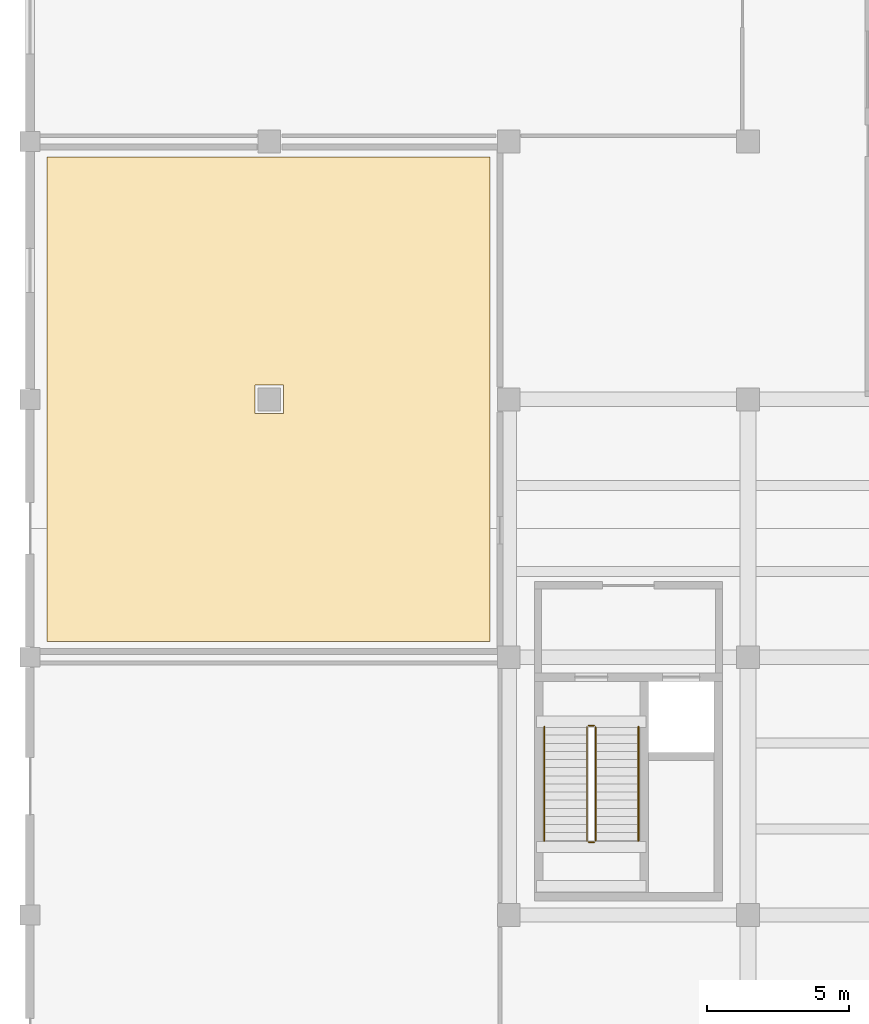
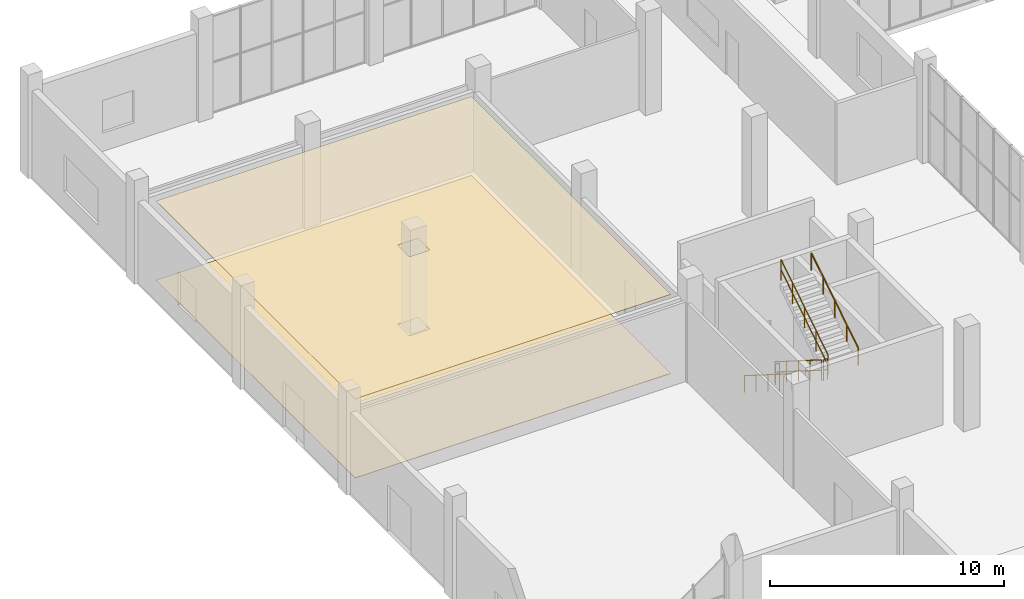
# One storey, part 88 of 91: 6 railings, 2 coverings.
"""IFC4 building model written with IfcOpenShell, lengths in metres."""

import ifcopenshell
import ifcopenshell.guid

model = None  # the IFC model being written
_history = None  # IfcOwnerHistory: only IFC2X3 demands one
_inside = {}  # id of a spatial element -> (the spatial element, [elements in it])
_under = {}  # id of a project, library or spatial element -> (it, [spatial elements below it])
_declared = {}  # id of a project -> (the project, [libraries it declares])
_typed = {}  # id of a type object -> (the type object, [elements of that type])
_made_of = {}  # id of a material, layer set ... -> (it, [elements and type objects made of it])


def new_model(schema):
    """Start an empty IFC model of exactly this schema.

    Asked for "IFC4X3", IfcOpenShell would pick the latest addendum, in which some entities
    have other attributes; the version numbers below select the first issue.
    IFC2X3 requires an IfcOwnerHistory on every rooted entity: one is made here for all.
    """
    global model, _history
    if schema == "IFC4X3":
        model = ifcopenshell.file(schema_version=(4, 3, 0, 0))
    else:
        model = ifcopenshell.file(schema=schema)
    _inside.clear()
    _under.clear()
    _declared.clear()
    _typed.clear()
    _made_of.clear()
    _history = None
    if model.schema == "IFC2X3":
        org = make("IfcOrganization", Name="unknown")
        user = make(
            "IfcPersonAndOrganization",
            ThePerson=make("IfcPerson", FamilyName="unknown"),
            TheOrganization=org,
        )
        app = make(
            "IfcApplication",
            ApplicationDeveloper=org,
            Version="unknown",
            ApplicationFullName="unknown",
            ApplicationIdentifier="unknown",
        )
        _history = make(
            "IfcOwnerHistory",
            OwningUser=user,
            OwningApplication=app,
            ChangeAction="ADDED",
            CreationDate=0,
        )
    return model


def make(cls, **values):
    """One entity of the class cls with the attributes given. An attribute that is None is left unset."""
    return model.create_entity(
        cls, **{name: value for name, value in values.items() if value is not None}
    )


def rooted(cls, **values):
    """An entity with a GlobalId (a new one), such as an element, a storey or a relation."""
    return make(cls, GlobalId=ifcopenshell.guid.new(), OwnerHistory=_history, **values)


def si_unit(unit_type, name, prefix=None):
    """IfcSIUnit, for example si_unit("LENGTHUNIT", "METRE", prefix="MILLI")."""
    return make("IfcSIUnit", UnitType=unit_type, Prefix=prefix, Name=name)


def assignment(units):
    """IfcUnitAssignment: the units of a project."""
    return None if units is None else make("IfcUnitAssignment", Units=units)


def point(xyz):
    """IfcCartesianPoint."""
    return None if xyz is None else make("IfcCartesianPoint", Coordinates=xyz)


def direction(xyz):
    """IfcDirection."""
    return None if xyz is None else make("IfcDirection", DirectionRatios=xyz)


def frame(location, z_axis=None, x_axis=None):
    """IfcAxis2Placement3D, a coordinate frame: its origin and axes. An axis left out is left unset."""
    return make(
        "IfcAxis2Placement3D",
        Location=point(location),
        Axis=direction(z_axis),
        RefDirection=direction(x_axis),
    )


def frame_2d(location, x_axis=None):
    """IfcAxis2Placement2D, a coordinate frame in the plane: its origin and x axis."""
    return make(
        "IfcAxis2Placement2D", Location=point(location), RefDirection=direction(x_axis)
    )


def origin():
    """The frame at (0, 0, 0) with its axes left unset."""
    return frame((0.0, 0.0, 0.0))


def origin_2d():
    """The frame at (0, 0) in the plane with its x axis left unset."""
    return frame_2d((0.0, 0.0))


def place(relative_to, where):
    """IfcLocalPlacement: puts the frame where relative to a parent placement (None: the world)."""
    return make(
        "IfcLocalPlacement", PlacementRelTo=relative_to, RelativePlacement=where
    )


def context(
    kind, dimensions, precision=None, world=None, true_north=None, identifier=None
):
    """IfcGeometricRepresentationContext, for example the 3D "Model" context."""
    return make(
        "IfcGeometricRepresentationContext",
        ContextIdentifier=identifier,
        ContextType=kind,
        CoordinateSpaceDimension=dimensions,
        Precision=precision,
        WorldCoordinateSystem=world,
        TrueNorth=true_north,
    )


def subcontext(parent, identifier, kind, view, scale=None):
    """IfcGeometricRepresentationSubContext, for example "Body" below "Model"."""
    return make(
        "IfcGeometricRepresentationSubContext",
        ContextIdentifier=identifier,
        ContextType=kind,
        ParentContext=parent,
        TargetScale=scale,
        TargetView=view,
    )


def project(units=None, contexts=None):
    """IfcProject with its units and contexts."""
    return rooted(
        "IfcProject",
        Name="project",
        RepresentationContexts=contexts,
        UnitsInContext=assignment(units),
    )


def spatial(cls, under=None, at=None, **own):
    """A site, building, storey or space (cls), placed at a placement, below another one or the project."""
    s = rooted(cls, ObjectPlacement=at, **own)
    if under is not None:
        _under.setdefault(under.id(), (under, []))[1].append(s)
    return s


def polyline(points):
    """IfcPolyline through the points."""
    return make("IfcPolyline", Points=[point(p) for p in points])


def profile(cls, at=None, kind="AREA", **sizes):
    """A parametric profile (cls). Its sizes go by their IFC names, for example OverallWidth=200.0."""
    return make(cls, ProfileType=kind, Position=at, **sizes)


def circle(**sizes):
    """IfcCircleProfileDef."""
    return profile("IfcCircleProfileDef", **sizes)


def outline(outer, holes=None, kind="AREA"):
    """IfcArbitraryClosedProfileDef: a profile drawn as a closed curve; with holes, ...WithVoids."""
    if holes is None:
        return make("IfcArbitraryClosedProfileDef", ProfileType=kind, OuterCurve=outer)
    return make(
        "IfcArbitraryProfileDefWithVoids",
        ProfileType=kind,
        OuterCurve=outer,
        InnerCurves=holes,
    )


def extrude(swept, where, along, depth):
    """IfcExtrudedAreaSolid: the profile swept, set in the frame where, extruded along a direction by depth."""
    return make(
        "IfcExtrudedAreaSolid",
        SweptArea=swept,
        Position=where,
        ExtrudedDirection=direction(along),
        Depth=depth,
    )


def shape(context_of_items, identifier, shape_type, items):
    """IfcShapeRepresentation: the items that make up one representation, for example the "Body"."""
    return make(
        "IfcShapeRepresentation",
        ContextOfItems=context_of_items,
        RepresentationIdentifier=identifier,
        RepresentationType=shape_type,
        Items=items,
    )


def material(Name=None, Category=None):
    """IfcMaterial."""
    return make("IfcMaterial", Name=Name, Category=Category)


def layer(
    of_material, thickness, ventilated=None, Name=None, Category=None, Priority=None
):
    """IfcMaterialLayer: one layer of a wall or slab, of a material (None: an air gap)."""
    return make(
        "IfcMaterialLayer",
        Material=of_material,
        LayerThickness=thickness,
        IsVentilated=ventilated,
        Name=Name,
        Category=Category,
        Priority=Priority,
    )


def layer_set(layers, Name=None):
    """IfcMaterialLayerSet."""
    return make("IfcMaterialLayerSet", MaterialLayers=layers, LayerSetName=Name)


def made_of(thing, what):
    """Note that an element or type object is made of a material, layer set ...; save() writes the relation."""
    if what is not None:
        _made_of.setdefault(what.id(), (what, []))[1].append(thing)
    return thing


def type_object(cls, material=None, **own):
    """A type object (cls), such as IfcWallType, which elements share."""
    return made_of(rooted(cls, **own), material)


def element(
    cls,
    number,
    at=None,
    inside=None,
    cuts=None,
    type_object=None,
    material=None,
    context=None,
    identifier="Body",
    shape_type=None,
    held_by="IfcProductDefinitionShape",
    body=None,
    shapes=None,
    **own,
):
    """One element of the class cls, such as IfcWall. Its Tag is "e" and its number.

    at: its placement. inside: the storey or other place that contains it. cuts: it is an
    opening in that element (IfcRelVoidsElement). A single representation is given by context,
    identifier, shape_type and body (its items); several are given by shapes. held_by: the class
    of the entity that holds the representations. save() writes the other relations.
    """
    e = rooted(cls, Tag="e%d" % number, ObjectPlacement=at, **own)
    if body is not None:
        shapes = [shape(context, identifier, shape_type, body)]
    if shapes is not None:
        e.Representation = make(held_by, Representations=shapes)
    if inside is not None:
        _inside.setdefault(inside.id(), (inside, []))[1].append(e)
    if cuts is not None:
        rooted(
            "IfcRelVoidsElement", RelatingBuildingElement=cuts, RelatedOpeningElement=e
        )
    if type_object is not None:
        _typed.setdefault(type_object.id(), (type_object, []))[1].append(e)
    return made_of(e, material)


def aggregate(whole, parts):
    """IfcRelAggregates: a whole, such as a stair, and the parts it consists of."""
    return rooted("IfcRelAggregates", RelatingObject=whole, RelatedObjects=parts)


def save(model, path):
    """Write the relations noted so far, then the file.

    IfcRelAggregates (storeys below a building ...), IfcRelContainedInSpatialStructure (elements
    in a storey), IfcRelDefinesByType, IfcRelAssociatesMaterial and IfcRelDeclares: one each for
    every whole, place, type object, material and project.
    """
    for whole, parts in _under.values():
        aggregate(whole, parts)
    for where, things in _inside.values():
        rooted(
            "IfcRelContainedInSpatialStructure",
            RelatedElements=things,
            RelatingStructure=where,
        )
    for kind, things in _typed.values():
        rooted("IfcRelDefinesByType", RelatedObjects=things, RelatingType=kind)
    for what, things in _made_of.values():
        rooted("IfcRelAssociatesMaterial", RelatedObjects=things, RelatingMaterial=what)
    for by, libraries in _declared.values():
        rooted("IfcRelDeclares", RelatingContext=by, RelatedDefinitions=libraries)
    model.write(path)


model = new_model("IFC4")

# Units and contexts
model_context = context("Model", 3, precision=1e-05, world=origin(), true_north=direction((0.0, 1.0)))
body_context = subcontext(model_context, "Body", "Model", "MODEL_VIEW")
ifc_project = project(units=[si_unit("LENGTHUNIT", "METRE"), si_unit("AREAUNIT", "SQUARE_METRE"), si_unit("VOLUMEUNIT", "CUBIC_METRE"), si_unit("PLANEANGLEUNIT", "RADIAN"), si_unit("MASSUNIT", "GRAM", prefix="KILO")], contexts=[model_context])

# Site, building, storey
site_placement = place(None, origin())
site = spatial("IfcSite", under=ifc_project, at=site_placement, CompositionType="ELEMENT")
building_placement = place(site_placement, origin())
building = spatial("IfcBuilding", under=site, at=building_placement, Name="Khurvash Pelagic Aquarium", CompositionType="ELEMENT")
storey_placement = place(building_placement, origin())
storey = spatial("IfcBuildingStorey", under=building, at=storey_placement, Name="L00", CompositionType="ELEMENT", Elevation=0.0)

# Coverings
ifc_material_1 = material(Name="Moisture-resistant acoustic mineral-fibre ceiling", Category="finish")
ifc_layer_1 = layer(ifc_material_1, 0.02490234375)
ifc_layer_set_1 = layer_set([ifc_layer_1], Name="Moisture-resistant acoustic mineral-fibre ceiling")
covering_type_1 = type_object("IfcCoveringType", Name="CV-CLG", PredefinedType="CEILING", material=ifc_layer_set_1)
covering_1_placement = place(storey_placement, frame((0.0, 0.0, 4.114990234375)))
element("IfcCovering", 1, at=covering_1_placement, inside=storey, type_object=covering_type_1, Name="L00 STEM Marine Discovery Classroom 1 Suspended Acoustic Ceiling", PredefinedType="CEILING", context=body_context, shape_type="SweptSolid", body=[
    extrude(outline(polyline([(0.60009765625, 75.550048828125), (16.14990234375, 75.550048828125), (16.14990234375, 92.550048828125), (0.60009765625, 92.550048828125), (0.60009765625, 75.550048828125)]), holes=[polyline([(8.89990234375, 83.550048828125), (7.89990234375, 83.550048828125), (7.89990234375, 84.550048828125), (8.89990234375, 84.550048828125), (8.89990234375, 83.550048828125)])]), origin(), (0.0, 0.0, 1.0), 0.02490234375),
])
ifc_material_2 = material(Name="Slip-resistant terrazzo and epoxy resin flooring", Category="finish")
ifc_layer_2 = layer(ifc_material_2, 0.02001953125)
ifc_layer_set_2 = layer_set([ifc_layer_2], Name="Slip-resistant terrazzo and epoxy resin flooring")
covering_type_2 = type_object("IfcCoveringType", Name="CV-FLR", PredefinedType="FLOORING", material=ifc_layer_set_2)
covering_2_placement = place(storey_placement, origin())
element("IfcCovering", 2, at=covering_2_placement, inside=storey, type_object=covering_type_2, Name="L00 STEM Marine Discovery Classroom 1 Terrazzo Floor Finish", PredefinedType="FLOORING", context=body_context, shape_type="SweptSolid", body=[
    extrude(outline(polyline([(0.60009765625, 75.550048828125), (16.14990234375, 75.550048828125), (16.14990234375, 92.550048828125), (0.60009765625, 92.550048828125), (0.60009765625, 75.550048828125)]), holes=[polyline([(8.89990234375, 83.550048828125), (7.89990234375, 83.550048828125), (7.89990234375, 84.550048828125), (8.89990234375, 84.550048828125), (8.89990234375, 83.550048828125)])]), origin(), (0.0, 0.0, 1.0), 0.02001953125),
])

# Railings
ifc_material_3 = material(Name="Powder-coated galvanised steel S355J2", Category="steel")
railing_type_1 = type_object("IfcRailingType", Name="GR-01", PredefinedType="GUARDRAIL", material=ifc_material_3)
railing_1_placement = place(storey_placement, frame((19.550048828125, 72.550048828125, 0.179931640625)))
element("IfcRailing", 3, at=railing_1_placement, inside=storey, type_object=railing_type_1, Name="L00 ST-05 stair guard 1", PredefinedType="GUARDRAIL", context=body_context, shape_type="SweptSolid", body=[
    extrude(circle(Radius=0.02392578125, at=origin_2d()), frame((0.0, 0.0, 1.076171875), z_axis=(0.0, -0.845486444383, 0.533996884227), x_axis=(1.0, 0.0, 0.0)), (0.0, 0.0, 1.0), 4.71923828125),
    extrude(circle(Radius=0.02392578125, at=origin_2d()), frame((0.0, 0.0, 0.5380859375), z_axis=(0.0, -0.845486444383, 0.533996884227), x_axis=(1.0, 0.0, 0.0)), (0.0, 0.0, 1.0), 4.71923828125),
    extrude(circle(Radius=0.02099609375, at=origin_2d()), origin(), (0.0, 0.0, 1.0), 1.052001953125),
    extrude(circle(Radius=0.02099609375, at=origin_2d()), frame((0.0, -0.99755859375, 0.6298828125)), (0.0, 0.0, 1.0), 1.052001953125),
    extrude(circle(Radius=0.02099609375, at=origin_2d()), frame((0.0, -1.9951171875, 1.260009765625)), (0.0, 0.0, 1.0), 1.052001953125),
    extrude(circle(Radius=0.02099609375, at=origin_2d()), frame((0.0, -2.992431640625, 1.89013671875)), (0.0, 0.0, 1.0), 1.052001953125),
    extrude(circle(Radius=0.02099609375, at=origin_2d()), frame((0.0, -3.989990234375, 2.52001953125)), (0.0, 0.0, 1.0), 1.052001953125),
])
railing_2_placement = place(storey_placement, frame((19.60009765625, 68.510009765625, 2.699951171875)))
element("IfcRailing", 4, at=railing_2_placement, inside=storey, type_object=railing_type_1, Name="L00 ST-05 stair guard 2", PredefinedType="GUARDRAIL", context=body_context, shape_type="SweptSolid", body=[
    extrude(circle(Radius=0.02392578125, at=origin_2d()), frame((0.0, 0.0, 1.076171875), z_axis=(1.0, 0.0, 0.0), x_axis=(0.0, 1.0, 0.0)), (0.0, 0.0, 1.0), 0.199951171875),
    extrude(circle(Radius=0.02392578125, at=origin_2d()), frame((0.0, 0.0, 0.5380859375), z_axis=(1.0, 0.0, 0.0), x_axis=(0.0, 1.0, 0.0)), (0.0, 0.0, 1.0), 0.199951171875),
    extrude(circle(Radius=0.02099609375, at=origin_2d()), origin(), (0.0, 0.0, 1.0), 1.052001953125),
    extrude(circle(Radius=0.02099609375, at=origin_2d()), frame((0.199951171875, 0.0, 0.0)), (0.0, 0.0, 1.0), 1.052001953125),
])
railing_3_placement = place(storey_placement, frame((19.85009765625, 68.56005859375, 2.8798828125)))
element("IfcRailing", 5, at=railing_3_placement, inside=storey, type_object=railing_type_1, Name="L00 ST-05 stair guard 3", PredefinedType="GUARDRAIL", context=body_context, shape_type="SweptSolid", body=[
    extrude(circle(Radius=0.02392578125, at=origin_2d()), frame((0.0, 0.0, 1.076171875), z_axis=(0.0, 0.845486444383, 0.533996884227), x_axis=(-1.0, 0.0, 0.0)), (0.0, 0.0, 1.0), 4.71923828125),
    extrude(circle(Radius=0.02392578125, at=origin_2d()), frame((0.0, 0.0, 0.5380859375), z_axis=(0.0, 0.845486444383, 0.533996884227), x_axis=(-1.0, 0.0, 0.0)), (0.0, 0.0, 1.0), 4.71923828125),
    extrude(circle(Radius=0.02099609375, at=origin_2d()), origin(), (0.0, 0.0, 1.0), 1.052001953125),
    extrude(circle(Radius=0.02099609375, at=origin_2d()), frame((0.0, 0.99755859375, 0.6298828125)), (0.0, 0.0, 1.0), 1.052001953125),
    extrude(circle(Radius=0.02099609375, at=origin_2d()), frame((0.0, 1.9951171875, 1.260009765625)), (0.0, 0.0, 1.0), 1.052001953125),
    extrude(circle(Radius=0.02099609375, at=origin_2d()), frame((0.0, 2.992431640625, 1.89013671875)), (0.0, 0.0, 1.0), 1.052001953125),
    extrude(circle(Radius=0.02099609375, at=origin_2d()), frame((0.0, 3.989990234375, 2.52001953125)), (0.0, 0.0, 1.0), 1.052001953125),
])
railing_4_placement = place(storey_placement, frame((19.60009765625, 72.60009765625, 0.0)))
element("IfcRailing", 6, at=railing_4_placement, inside=storey, type_object=railing_type_1, Name="L00 ST-05 stair guard 4", PredefinedType="GUARDRAIL", context=body_context, shape_type="SweptSolid", body=[
    extrude(circle(Radius=0.02392578125, at=origin_2d()), frame((0.0, 0.0, 1.076171875), z_axis=(1.0, 0.0, 0.0), x_axis=(0.0, 1.0, 0.0)), (0.0, 0.0, 1.0), 0.199951171875),
    extrude(circle(Radius=0.02392578125, at=origin_2d()), frame((0.0, 0.0, 0.5380859375), z_axis=(1.0, 0.0, 0.0), x_axis=(0.0, 1.0, 0.0)), (0.0, 0.0, 1.0), 0.199951171875),
    extrude(circle(Radius=0.02099609375, at=origin_2d()), origin(), (0.0, 0.0, 1.0), 1.052001953125),
    extrude(circle(Radius=0.02099609375, at=origin_2d()), frame((0.199951171875, 0.0, 0.0)), (0.0, 0.0, 1.0), 1.052001953125),
])
ifc_material_4 = material(Name="Brushed stainless steel 316", Category="steel")
railing_type_2 = type_object("IfcRailingType", Name="HR-01", PredefinedType="HANDRAIL", material=ifc_material_4)
railing_5_placement = place(storey_placement, frame((18.050048828125, 72.550048828125, 0.179931640625)))
element("IfcRailing", 7, at=railing_5_placement, inside=storey, type_object=railing_type_2, Name="L00 ST-05 stair handrail 1", PredefinedType="HANDRAIL", context=body_context, shape_type="SweptSolid", body=[
    extrude(circle(Radius=0.02392578125, at=origin_2d()), frame((0.0, 0.0, 0.8759765625), z_axis=(0.0, -0.845486444383, 0.533996884227), x_axis=(1.0, 0.0, 0.0)), (0.0, 0.0, 1.0), 4.71923828125),
    extrude(circle(Radius=0.02099609375, at=origin_2d()), origin(), (0.0, 0.0, 1.0), 0.851806640625),
    extrude(circle(Radius=0.02099609375, at=origin_2d()), frame((0.0, -0.99755859375, 0.6298828125)), (0.0, 0.0, 1.0), 0.851806640625),
    extrude(circle(Radius=0.02099609375, at=origin_2d()), frame((0.0, -1.9951171875, 1.260009765625)), (0.0, 0.0, 1.0), 0.851806640625),
    extrude(circle(Radius=0.02099609375, at=origin_2d()), frame((0.0, -2.992431640625, 1.89013671875)), (0.0, 0.0, 1.0), 0.851806640625),
    extrude(circle(Radius=0.02099609375, at=origin_2d()), frame((0.0, -3.989990234375, 2.52001953125)), (0.0, 0.0, 1.0), 0.851806640625),
])
railing_6_placement = place(storey_placement, frame((21.35009765625, 68.56005859375, 2.8798828125)))
element("IfcRailing", 8, at=railing_6_placement, inside=storey, type_object=railing_type_2, Name="L00 ST-05 stair handrail 2", PredefinedType="HANDRAIL", context=body_context, shape_type="SweptSolid", body=[
    extrude(circle(Radius=0.02392578125, at=origin_2d()), frame((0.0, 0.0, 0.8759765625), z_axis=(0.0, 0.845486444383, 0.533996884227), x_axis=(-1.0, 0.0, 0.0)), (0.0, 0.0, 1.0), 4.71923828125),
    extrude(circle(Radius=0.02099609375, at=origin_2d()), origin(), (0.0, 0.0, 1.0), 0.851806640625),
    extrude(circle(Radius=0.02099609375, at=origin_2d()), frame((0.0, 0.99755859375, 0.6298828125)), (0.0, 0.0, 1.0), 0.851806640625),
    extrude(circle(Radius=0.02099609375, at=origin_2d()), frame((0.0, 1.9951171875, 1.260009765625)), (0.0, 0.0, 1.0), 0.851806640625),
    extrude(circle(Radius=0.02099609375, at=origin_2d()), frame((0.0, 2.992431640625, 1.89013671875)), (0.0, 0.0, 1.0), 0.851806640625),
    extrude(circle(Radius=0.02099609375, at=origin_2d()), frame((0.0, 3.989990234375, 2.52001953125)), (0.0, 0.0, 1.0), 0.851806640625),
])

save(model, "model.ifc")
